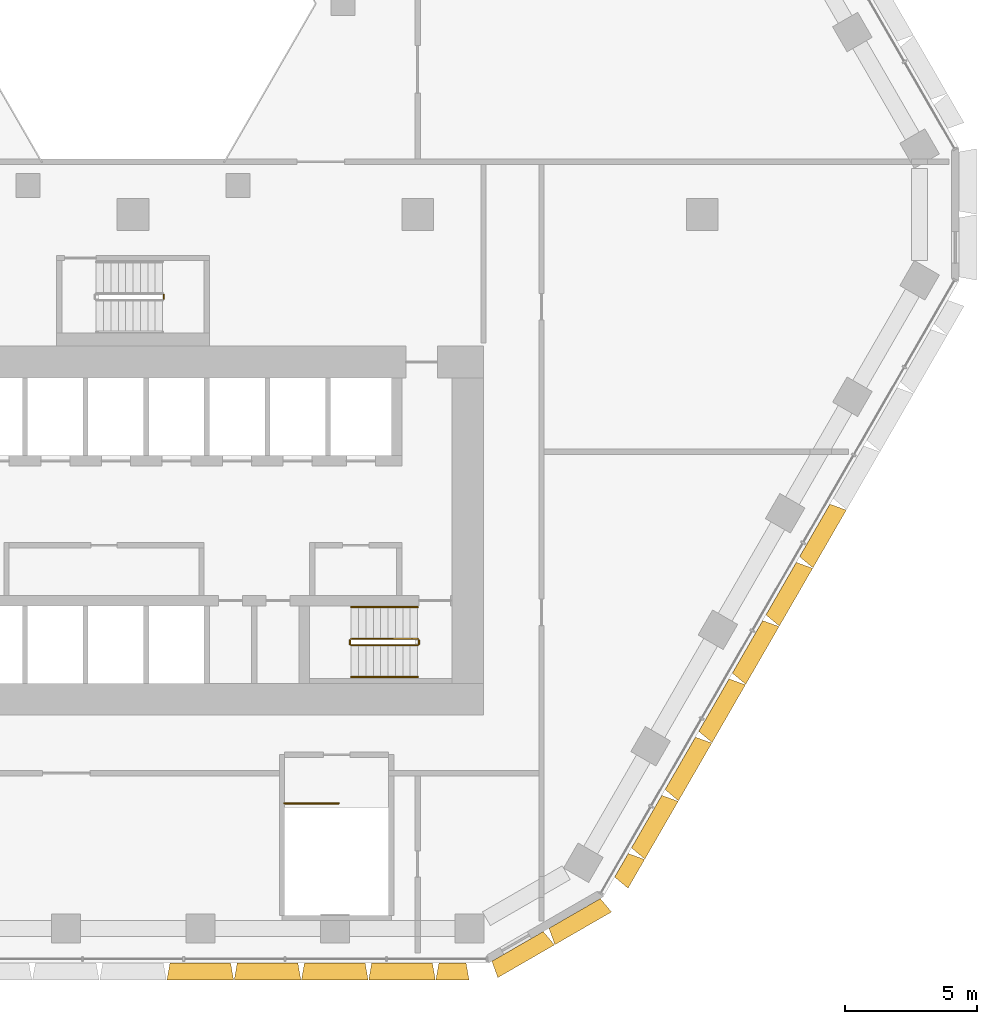
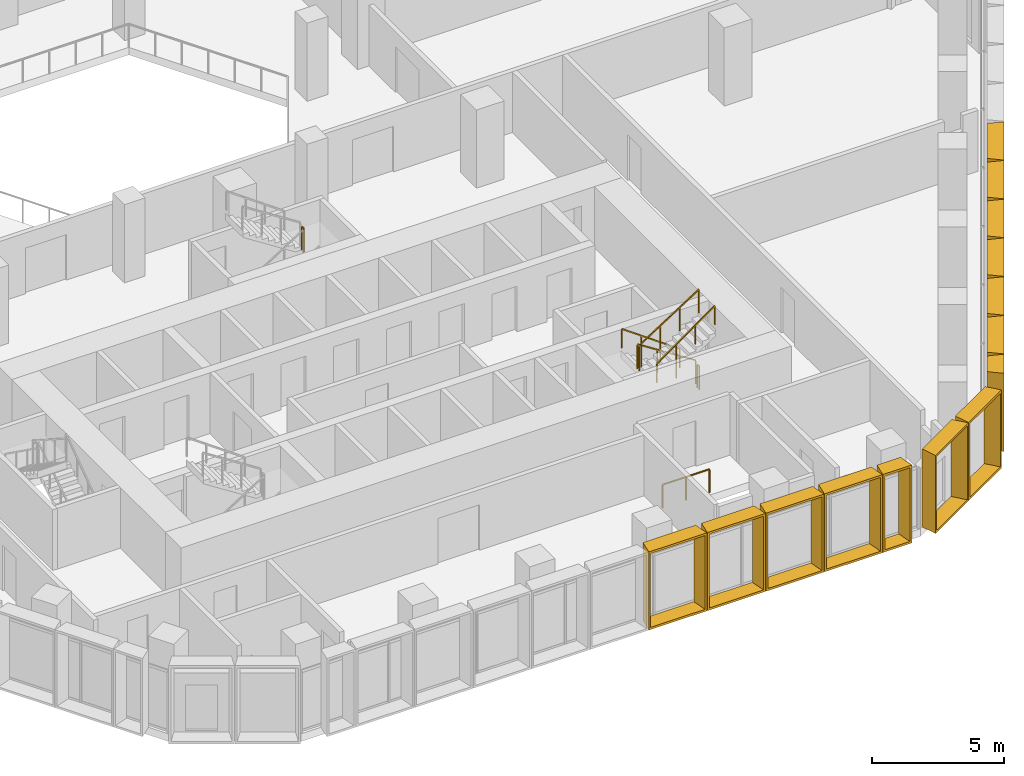
# One storey, part 20 of 21: 14 shading devices, 8 railings.
"""IFC4 building model written with IfcOpenShell, lengths in metres."""

from ifc_helpers import new_model, entity, si_unit, direction, frame, origin, origin_2d, place, context, subcontext, project, spatial, rectangle, extrude, source, transform, mapped, material, type_object, type_shapes, element, save


model = new_model("IFC4")

# Units and contexts
model_context = context("Model", 3, precision=1e-05, world=origin(), true_north=direction((0.0, 1.0)))
body_context = subcontext(model_context, "Body", "Model", "MODEL_VIEW")
ifc_project = project(units=[si_unit("LENGTHUNIT", "METRE"), si_unit("AREAUNIT", "SQUARE_METRE"), si_unit("VOLUMEUNIT", "CUBIC_METRE"), si_unit("PLANEANGLEUNIT", "RADIAN"), si_unit("MASSUNIT", "GRAM", prefix="KILO")], contexts=[model_context])

# Site, building, storey
site_placement = place(None, origin())
site = spatial("IfcSite", under=ifc_project, at=site_placement, CompositionType="ELEMENT")
building_placement = place(site_placement, origin())
building = spatial("IfcBuilding", under=site, at=building_placement, Name="Beryl Residences", CompositionType="ELEMENT")
storey_placement = place(building_placement, frame((0.0, 0.0, 19.800048828125)))
storey = spatial("IfcBuildingStorey", under=building, at=storey_placement, Name="L05", CompositionType="ELEMENT", Elevation=19.800048828125)

# Shading devices
ifc_material_1 = material(Name="Aluminium pale anodised", Category="aluminium")
shading_device_type_1 = type_object("IfcShadingDeviceType", Name="FR128-65A-H36 OUTER SKIN frame 650 mm deep, splay 10/10 deg, 1280 x 3600 mm cell", PredefinedType="USERDEFINED", material=ifc_material_1)
cartesian_point_1 = entity("IfcCartesianPoint", [-0.514892578125, 0.0])
cartesian_point_2 = entity("IfcCartesianPoint", [-0.433837890625, 0.10009765625])
cartesian_point_3 = entity("IfcCartesianPoint", [-0.629638671875, 0.0])
cartesian_point_4 = entity("IfcCartesianPoint", [-0.54833984375, 0.10009765625])
shared_shape_1 = source(origin(), body_context, "Body", "SweptSolid", [
    entity("IfcExtrudedAreaSolidTapered", entity("IfcArbitraryProfileDefWithVoids", "AREA", None, entity("IfcPolyline", [cartesian_point_1, entity("IfcCartesianPoint", [0.514892578125, 0.0]), entity("IfcCartesianPoint", [0.514892578125, 3.60009765625]), entity("IfcCartesianPoint", [-0.514892578125, 3.60009765625]), cartesian_point_1]), [entity("IfcPolyline", [cartesian_point_2, entity("IfcCartesianPoint", [0.433837890625, 0.10009765625]), entity("IfcCartesianPoint", [0.433837890625, 3.5]), entity("IfcCartesianPoint", [-0.433837890625, 3.5]), cartesian_point_2])]), entity("IfcAxis2Placement3D", entity("IfcCartesianPoint", [0.0, 0.0, 0.0]), entity("IfcDirection", [0.0, 1.0, 0.0]), entity("IfcDirection", [-1.0, 0.0, 0.0])), entity("IfcDirection", [0.0, 0.0, 1.0]), 0.64990234375, entity("IfcArbitraryProfileDefWithVoids", "AREA", None, entity("IfcPolyline", [cartesian_point_3, entity("IfcCartesianPoint", [0.629638671875, 0.0]), entity("IfcCartesianPoint", [0.629638671875, 3.60009765625]), entity("IfcCartesianPoint", [-0.629638671875, 3.60009765625]), cartesian_point_3]), [entity("IfcPolyline", [cartesian_point_4, entity("IfcCartesianPoint", [0.54833984375, 0.10009765625]), entity("IfcCartesianPoint", [0.54833984375, 3.5]), entity("IfcCartesianPoint", [-0.54833984375, 3.5]), cartesian_point_4])])),
])
type_shapes(shading_device_type_1, [shared_shape_1])
for number, where, z_axis, x_axis, name in (
    (1, (12.123046875, -28.39990234375, 0.0), (0.0, 0.0, 1.0), (-1.0, 0.0, 0.0), "FR128-65A-H36 frame L05 S 11"),
    (2, (18.534912109375, -24.697021484375, 0.0), (0.0, 0.0, 1.0), (-0.5, -0.866025403784, 0.0), "FR128-65A-H36 frame L05 SE 1"),
):
    element("IfcShadingDevice", number, at=place(storey_placement, frame(where, z_axis=z_axis, x_axis=x_axis)), inside=storey, type_object=shading_device_type_1, Name=name, ObjectType="OUTER SKIN", PredefinedType="USERDEFINED", context=body_context, shape_type="MappedRepresentation", body=[
        mapped(shared_shape_1, transform((0.0, 0.0, 0.0))),
    ])
ifc_material_2 = material(Name="Aluminium pale anodised", Category="aluminium")
shading_device_type_2 = type_object("IfcShadingDeviceType", Name="FR250-65A-H36 OUTER SKIN frame 650 mm deep, splay 10/10 deg, 2500 x 3600 mm cell", PredefinedType="USERDEFINED", material=ifc_material_2)
cartesian_point_5 = entity("IfcCartesianPoint", [-1.125, 0.0])
cartesian_point_6 = entity("IfcCartesianPoint", [-1.043701171875, 0.10009765625])
cartesian_point_7 = entity("IfcCartesianPoint", [-1.239501953125, 0.0])
cartesian_point_8 = entity("IfcCartesianPoint", [-1.158447265625, 0.10009765625])
shared_shape_2 = source(origin(), body_context, "Body", "SweptSolid", [
    entity("IfcExtrudedAreaSolidTapered", entity("IfcArbitraryProfileDefWithVoids", "AREA", None, entity("IfcPolyline", [cartesian_point_5, entity("IfcCartesianPoint", [1.125, 0.0]), entity("IfcCartesianPoint", [1.125, 3.60009765625]), entity("IfcCartesianPoint", [-1.125, 3.60009765625]), cartesian_point_5]), [entity("IfcPolyline", [cartesian_point_6, entity("IfcCartesianPoint", [1.043701171875, 0.10009765625]), entity("IfcCartesianPoint", [1.043701171875, 3.5]), entity("IfcCartesianPoint", [-1.043701171875, 3.5]), cartesian_point_6])]), entity("IfcAxis2Placement3D", entity("IfcCartesianPoint", [0.0, 0.0, 0.0]), entity("IfcDirection", [0.0, 1.0, 0.0]), entity("IfcDirection", [-1.0, 0.0, 0.0])), entity("IfcDirection", [0.0, 0.0, 1.0]), 0.64990234375, entity("IfcArbitraryProfileDefWithVoids", "AREA", None, entity("IfcPolyline", [cartesian_point_7, entity("IfcCartesianPoint", [1.239501953125, 0.0]), entity("IfcCartesianPoint", [1.239501953125, 3.60009765625]), entity("IfcCartesianPoint", [-1.239501953125, 3.60009765625]), cartesian_point_7]), [entity("IfcPolyline", [cartesian_point_8, entity("IfcCartesianPoint", [1.158447265625, 0.10009765625]), entity("IfcCartesianPoint", [1.158447265625, 3.5]), entity("IfcCartesianPoint", [-1.158447265625, 3.5]), cartesian_point_8])])),
])
type_shapes(shading_device_type_2, [shared_shape_2])
for number, where, z_axis, x_axis, name in (
    (3, (14.593017578125, -27.77490234375, 0.0), (0.0, 0.0, 1.0), (-0.866025403784, -0.5, 0.0), "FR250-65A-H36 frame L05 S-SE 1"),
    (4, (16.758056640625, -26.52490234375, 0.0), (0.0, 0.0, 1.0), (-0.866025403784, -0.5, 0.0), "FR250-65A-H36 frame L05 S-SE 2"),
):
    element("IfcShadingDevice", number, at=place(storey_placement, frame(where, z_axis=z_axis, x_axis=x_axis)), inside=storey, type_object=shading_device_type_2, Name=name, ObjectType="OUTER SKIN", PredefinedType="USERDEFINED", context=body_context, shape_type="MappedRepresentation", body=[
        mapped(shared_shape_2, transform((0.0, 0.0, 0.0))),
    ])
ifc_material_3 = material(Name="Aluminium pale anodised", Category="aluminium")
shading_device_type_3 = type_object("IfcShadingDeviceType", Name="FR255-65A-H36 OUTER SKIN frame 650 mm deep, splay 10/10 deg, 2550 x 3600 mm cell", PredefinedType="USERDEFINED", material=ifc_material_3)
cartesian_point_9 = entity("IfcCartesianPoint", [-1.14990234375, 0.0])
cartesian_point_10 = entity("IfcCartesianPoint", [-1.06884765625, 0.10009765625])
cartesian_point_11 = entity("IfcCartesianPoint", [-1.2646484375, 0.0])
cartesian_point_12 = entity("IfcCartesianPoint", [-1.183349609375, 0.10009765625])
shared_shape_3 = source(origin(), body_context, "Body", "SweptSolid", [
    entity("IfcExtrudedAreaSolidTapered", entity("IfcArbitraryProfileDefWithVoids", "AREA", None, entity("IfcPolyline", [cartesian_point_9, entity("IfcCartesianPoint", [1.14990234375, 0.0]), entity("IfcCartesianPoint", [1.14990234375, 3.60009765625]), entity("IfcCartesianPoint", [-1.14990234375, 3.60009765625]), cartesian_point_9]), [entity("IfcPolyline", [cartesian_point_10, entity("IfcCartesianPoint", [1.06884765625, 0.10009765625]), entity("IfcCartesianPoint", [1.06884765625, 3.5]), entity("IfcCartesianPoint", [-1.06884765625, 3.5]), cartesian_point_10])]), entity("IfcAxis2Placement3D", entity("IfcCartesianPoint", [0.0, 0.0, 0.0]), entity("IfcDirection", [0.0, 1.0, 0.0]), entity("IfcDirection", [-1.0, 0.0, 0.0])), entity("IfcDirection", [0.0, 0.0, 1.0]), 0.64990234375, entity("IfcArbitraryProfileDefWithVoids", "AREA", None, entity("IfcPolyline", [cartesian_point_11, entity("IfcCartesianPoint", [1.2646484375, 0.0]), entity("IfcCartesianPoint", [1.2646484375, 3.60009765625]), entity("IfcCartesianPoint", [-1.2646484375, 3.60009765625]), cartesian_point_11]), [entity("IfcPolyline", [cartesian_point_12, entity("IfcCartesianPoint", [1.183349609375, 0.10009765625]), entity("IfcCartesianPoint", [1.183349609375, 3.5]), entity("IfcCartesianPoint", [-1.183349609375, 3.5]), cartesian_point_12])])),
])
type_shapes(shading_device_type_3, [shared_shape_3])
for number, where, z_axis, x_axis, name in (
    (5, (2.552978515625, -28.39990234375, 0.0), (0.0, 0.0, 1.0), (-1.0, 0.0, 0.0), "FR255-65A-H36 frame L05 S 7"),
    (6, (5.10498046875, -28.39990234375, 0.0), (0.0, 0.0, 1.0), (-1.0, 0.0, 0.0), "FR255-65A-H36 frame L05 S 8"),
    (7, (7.656982421875, -28.39990234375, 0.0), (0.0, 0.0, 1.0), (-1.0, 0.0, 0.0), "FR255-65A-H36 frame L05 S 9"),
    (8, (10.208984375, -28.39990234375, 0.0), (0.0, 0.0, 1.0), (-1.0, 0.0, 0.0), "FR255-65A-H36 frame L05 S 10"),
    (9, (19.491943359375, -23.0400390625, 0.0), (0.0, 0.0, 1.0), (-0.5, -0.866025403784, 0.0), "FR255-65A-H36 frame L05 SE 2"),
    (10, (20.76806640625, -20.830078125, 0.0), (0.0, 0.0, 1.0), (-0.5, -0.866025403784, 0.0), "FR255-65A-H36 frame L05 SE 3"),
    (11, (22.0439453125, -18.618896484375, 0.0), (0.0, 0.0, 1.0), (-0.5, -0.866025403784, 0.0), "FR255-65A-H36 frame L05 SE 4"),
    (12, (23.320068359375, -16.408935546875, 0.0), (0.0, 0.0, 1.0), (-0.5, -0.866025403784, 0.0), "FR255-65A-H36 frame L05 SE 5"),
    (13, (24.594970703125, -14.198974609375, 0.0), (0.0, 0.0, 1.0), (-0.5, -0.866025403784, 0.0), "FR255-65A-H36 frame L05 SE 6"),
    (14, (25.87109375, -11.989013671875, 0.0), (0.0, 0.0, 1.0), (-0.5, -0.866025403784, 0.0), "FR255-65A-H36 frame L05 SE 7"),
):
    element("IfcShadingDevice", number, at=place(storey_placement, frame(where, z_axis=z_axis, x_axis=x_axis)), inside=storey, type_object=shading_device_type_3, Name=name, ObjectType="OUTER SKIN", PredefinedType="USERDEFINED", context=body_context, shape_type="MappedRepresentation", body=[
        mapped(shared_shape_3, transform((0.0, 0.0, 0.0))),
    ])

# Railings
ifc_material_4 = material(Name="Stainless steel balustrade with glass infill", Category="steel")
railing_type_1 = type_object("IfcRailingType", Name="SG1 stair guard 1100 mm", PredefinedType="GUARDRAIL", material=ifc_material_4)
railing_1_placement = place(storey_placement, frame((5.75, -22.35009765625, 0.0)))
element("IfcRailing", 15, at=railing_1_placement, inside=storey, type_object=railing_type_1, Name="L05 PS-7 top well guard 1", PredefinedType="GUARDRAIL", context=body_context, shape_type="SweptSolid", body=[
    extrude(rectangle(XDim=0.048095703125, YDim=0.048095703125, at=origin_2d()), frame((0.0, 0.0, 1.076171875), z_axis=(1.0, 0.0, 0.0), x_axis=(0.0, 1.0, 0.0)), (0.0, 0.0, 1.0), 2.050048828125),
    extrude(rectangle(XDim=0.0419921875, YDim=0.0419921875, at=origin_2d()), origin(), (0.0, 0.0, 1.0), 1.052001953125),
    extrude(rectangle(XDim=0.0419921875, YDim=0.0419921875, at=origin_2d()), frame((1.02490234375, 0.0, 0.0)), (0.0, 0.0, 1.0), 1.052001953125),
    extrude(rectangle(XDim=0.0419921875, YDim=0.0419921875, at=origin_2d()), frame((2.050048828125, 0.0, 0.0)), (0.0, 0.0, 1.0), 1.052001953125),
])
railing_2_placement = place(storey_placement, frame((10.800048828125, -16.10009765625, 0.179931640625)))
element("IfcRailing", 16, at=railing_2_placement, inside=storey, type_object=railing_type_1, Name="L05 ST-3 stair guard 1", PredefinedType="GUARDRAIL", context=body_context, shape_type="SweptSolid", body=[
    extrude(rectangle(XDim=0.048095703125, YDim=0.048095703125, at=origin_2d()), frame((0.0, 0.0, 1.076171875), z_axis=(-0.841162588446, 0.0, 0.540782303519), x_axis=(0.0, -1.0, 0.0)), (0.0, 0.0, 1.0), 2.995849609375),
    extrude(rectangle(XDim=0.0419921875, YDim=0.0419921875, at=origin_2d()), origin(), (0.0, 0.0, 1.0), 1.052001953125),
    extrude(rectangle(XDim=0.0419921875, YDim=0.0419921875, at=origin_2d()), frame((-0.840087890625, 0.0, 0.5400390625)), (0.0, 0.0, 1.0), 1.052001953125),
    extrude(rectangle(XDim=0.0419921875, YDim=0.0419921875, at=origin_2d()), frame((-1.679931640625, 0.0, 1.080078125)), (0.0, 0.0, 1.0), 1.052001953125),
    extrude(rectangle(XDim=0.0419921875, YDim=0.0419921875, at=origin_2d()), frame((-2.52001953125, 0.0, 1.6201171875)), (0.0, 0.0, 1.0), 1.052001953125),
])
railing_3_placement = place(storey_placement, frame((8.22998046875, -16.14990234375, 1.800048828125)))
element("IfcRailing", 17, at=railing_3_placement, inside=storey, type_object=railing_type_1, Name="L05 ST-3 stair guard 2", PredefinedType="GUARDRAIL", context=body_context, shape_type="SweptSolid", body=[
    extrude(rectangle(XDim=0.048095703125, YDim=0.048095703125, at=origin_2d()), frame((0.0, 0.0, 1.076171875), z_axis=(0.0, -1.0, 0.0), x_axis=(1.0, 0.0, 0.0)), (0.0, 0.0, 1.0), 0.150146484375),
    extrude(rectangle(XDim=0.0419921875, YDim=0.0419921875, at=origin_2d()), origin(), (0.0, 0.0, 1.0), 1.052001953125),
    extrude(rectangle(XDim=0.0419921875, YDim=0.0419921875, at=origin_2d()), frame((0.0, -0.150146484375, 0.0)), (0.0, 0.0, 1.0), 1.052001953125),
])
railing_4_placement = place(storey_placement, frame((8.280029296875, -16.35009765625, 1.97998046875)))
element("IfcRailing", 18, at=railing_4_placement, inside=storey, type_object=railing_type_1, Name="L05 ST-3 stair guard 3", PredefinedType="GUARDRAIL", context=body_context, shape_type="SweptSolid", body=[
    extrude(rectangle(XDim=0.048095703125, YDim=0.048095703125, at=origin_2d()), frame((0.0, 0.0, 1.076171875), z_axis=(0.841199657755, 0.0, 0.540724639528), x_axis=(0.0, 1.0, 0.0)), (0.0, 0.0, 1.0), 2.995849609375),
    extrude(rectangle(XDim=0.0419921875, YDim=0.0419921875, at=origin_2d()), origin(), (0.0, 0.0, 1.0), 1.052001953125),
    extrude(rectangle(XDim=0.0419921875, YDim=0.0419921875, at=origin_2d()), frame((0.840087890625, 0.0, 0.5400390625)), (0.0, 0.0, 1.0), 1.052001953125),
    extrude(rectangle(XDim=0.0419921875, YDim=0.0419921875, at=origin_2d()), frame((1.679931640625, 0.0, 1.079833984375)), (0.0, 0.0, 1.0), 1.052001953125),
    extrude(rectangle(XDim=0.0419921875, YDim=0.0419921875, at=origin_2d()), frame((2.52001953125, 0.0, 1.619873046875)), (0.0, 0.0, 1.0), 1.052001953125),
])
railing_5_placement = place(storey_placement, frame((10.85009765625, -16.14990234375, 0.0)))
element("IfcRailing", 19, at=railing_5_placement, inside=storey, type_object=railing_type_1, Name="L05 ST-3 stair guard 4", PredefinedType="GUARDRAIL", context=body_context, shape_type="SweptSolid", body=[
    extrude(rectangle(XDim=0.048095703125, YDim=0.048095703125, at=origin_2d()), frame((0.0, 0.0, 1.076171875), z_axis=(0.0, -1.0, 0.0), x_axis=(1.0, 0.0, 0.0)), (0.0, 0.0, 1.0), 0.150146484375),
    extrude(rectangle(XDim=0.0419921875, YDim=0.0419921875, at=origin_2d()), origin(), (0.0, 0.0, 1.0), 1.052001953125),
    extrude(rectangle(XDim=0.0419921875, YDim=0.0419921875, at=origin_2d()), frame((0.0, -0.150146484375, 0.0)), (0.0, 0.0, 1.0), 1.052001953125),
])
railing_6_placement = place(storey_placement, frame((1.169921875, -3.199951171875, 1.800048828125)))
element("IfcRailing", 20, at=railing_6_placement, inside=storey, type_object=railing_type_1, Name="L05 ST-4 stair guard 2", PredefinedType="GUARDRAIL", context=body_context, shape_type="SweptSolid", body=[
    extrude(rectangle(XDim=0.048095703125, YDim=0.048095703125, at=origin_2d()), frame((0.0, 0.0, 1.076171875), z_axis=(0.0, 1.0, 0.0), x_axis=(-1.0, 0.0, 0.0)), (0.0, 0.0, 1.0), 0.14990234375),
    extrude(rectangle(XDim=0.0419921875, YDim=0.0419921875, at=origin_2d()), origin(), (0.0, 0.0, 1.0), 1.052001953125),
    extrude(rectangle(XDim=0.0419921875, YDim=0.0419921875, at=origin_2d()), frame((0.0, 0.14990234375, 0.0)), (0.0, 0.0, 1.0), 1.052001953125),
])
ifc_material_5 = material(Name="Stainless steel handrail", Category="steel")
railing_type_2 = type_object("IfcRailingType", Name="SRL1 stair handrail 900 mm", PredefinedType="HANDRAIL", material=ifc_material_5)
railing_7_placement = place(storey_placement, frame((10.800048828125, -14.89990234375, 0.179931640625)))
element("IfcRailing", 21, at=railing_7_placement, inside=storey, type_object=railing_type_2, Name="L05 ST-3 stair handrail 1", PredefinedType="HANDRAIL", context=body_context, shape_type="SweptSolid", body=[
    extrude(rectangle(XDim=0.048095703125, YDim=0.048095703125, at=origin_2d()), frame((0.0, 0.0, 0.8759765625), z_axis=(-0.813728144527, 0.0, 0.581245650998), x_axis=(0.0, -1.0, 0.0)), (0.0, 0.0, 1.0), 3.096923828125),
    extrude(rectangle(XDim=0.0419921875, YDim=0.0419921875, at=origin_2d()), origin(), (0.0, 0.0, 1.0), 0.851806640625),
    extrude(rectangle(XDim=0.0419921875, YDim=0.0419921875, at=origin_2d()), frame((-0.840087890625, 0.0, 0.60009765625)), (0.0, 0.0, 1.0), 0.851806640625),
    extrude(rectangle(XDim=0.0419921875, YDim=0.0419921875, at=origin_2d()), frame((-1.679931640625, 0.0, 1.199951171875)), (0.0, 0.0, 1.0), 0.851806640625),
    extrude(rectangle(XDim=0.0419921875, YDim=0.0419921875, at=origin_2d()), frame((-2.52001953125, 0.0, 1.800048828125)), (0.0, 0.0, 1.0), 0.851806640625),
])
railing_8_placement = place(storey_placement, frame((8.280029296875, -17.550048828125, 1.97998046875)))
element("IfcRailing", 22, at=railing_8_placement, inside=storey, type_object=railing_type_2, Name="L05 ST-3 stair handrail 2", PredefinedType="HANDRAIL", context=body_context, shape_type="SweptSolid", body=[
    extrude(rectangle(XDim=0.048095703125, YDim=0.048095703125, at=origin_2d()), frame((0.0, 0.0, 0.8759765625), z_axis=(0.813728144527, 0.0, 0.581245650998), x_axis=(0.0, 1.0, 0.0)), (0.0, 0.0, 1.0), 3.096923828125),
    extrude(rectangle(XDim=0.0419921875, YDim=0.0419921875, at=origin_2d()), origin(), (0.0, 0.0, 1.0), 0.851806640625),
    extrude(rectangle(XDim=0.0419921875, YDim=0.0419921875, at=origin_2d()), frame((0.840087890625, 0.0, 0.60009765625)), (0.0, 0.0, 1.0), 0.851806640625),
    extrude(rectangle(XDim=0.0419921875, YDim=0.0419921875, at=origin_2d()), frame((1.679931640625, 0.0, 1.199951171875)), (0.0, 0.0, 1.0), 0.851806640625),
    extrude(rectangle(XDim=0.0419921875, YDim=0.0419921875, at=origin_2d()), frame((2.52001953125, 0.0, 1.800048828125)), (0.0, 0.0, 1.0), 0.851806640625),
])

save(model, "model.ifc")
